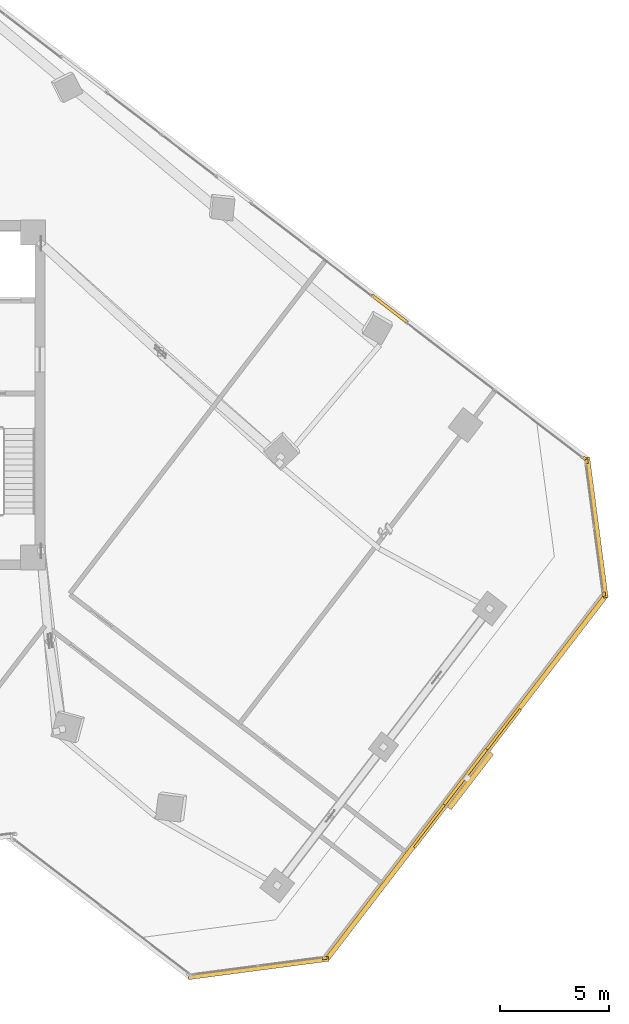
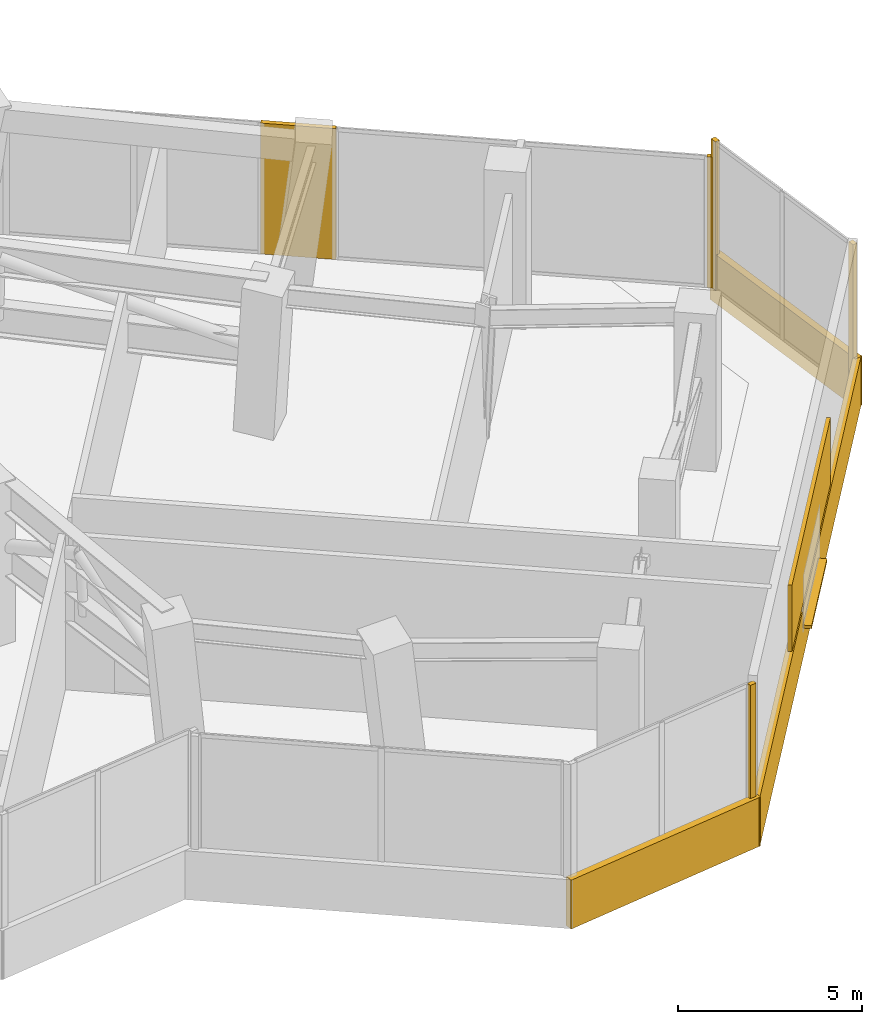
# One storey, part 21 of 22: 8 coverings, 2 shading devices.
"""IFC4 building model written with IfcOpenShell, lengths in metres."""

from ifc_helpers import new_model, si_unit, direction, frame, origin, origin_2d, place, context, subcontext, project, spatial, rectangle, extrude, source, transform, mapped, material, layer, layer_set, type_object, element, save


model = new_model("IFC4")

# Units and contexts
model_context = context("Model", 3, precision=1e-05, world=origin(), true_north=direction((0.0, 1.0)))
body_context = subcontext(model_context, "Body", "Model", "MODEL_VIEW")
ifc_project = project(units=[si_unit("LENGTHUNIT", "METRE"), si_unit("AREAUNIT", "SQUARE_METRE"), si_unit("VOLUMEUNIT", "CUBIC_METRE"), si_unit("PLANEANGLEUNIT", "RADIAN"), si_unit("MASSUNIT", "GRAM", prefix="KILO")], contexts=[model_context])

# Site, building, storey
site_placement = place(None, origin())
site = spatial("IfcSite", under=ifc_project, at=site_placement, CompositionType="ELEMENT")
building_placement = place(site_placement, origin())
building = spatial("IfcBuilding", under=site, at=building_placement, Name="Torre Montelarca", CompositionType="ELEMENT")
storey_placement = place(building_placement, frame((0.0, 0.0, 209.800048828125)))
storey = spatial("IfcBuildingStorey", under=building, at=storey_placement, Name="L47", CompositionType="ELEMENT", Elevation=209.800048828125)

# Coverings
ifc_material_1 = material(Name="Bush-hammered warm white precast concrete C45/55", Category="concrete")
ifc_layer_1 = layer(ifc_material_1, 0.139892578125, Name="Bush-hammered warm white precast concrete C45/55", Category="concrete")
ifc_layer_set_1 = layer_set([ifc_layer_1], Name="Bush-hammered warm white precast concrete C45/55")
covering_type = type_object("IfcCoveringType", Name="COV-TRAY-CLAD", PredefinedType="CLADDING", material=ifc_layer_set_1)
shared_shape_1 = source(origin(), body_context, "Body", "SweptSolid", [
    extrude(rectangle(XDim=6.48388671875, YDim=0.219970703125, at=origin_2d()), origin(), (0.0, 0.0, 1.0), 1.6201171875),
])
for number, where, z_axis, x_axis, name in (
    (1, (36.7978515625, 5.72998046875, -0.4501953125), (0.0, 0.0, 1.0), (0.991444405745, 0.130529653015, 0.0), "L47 Architectural White Spandrel Tray Band TRYBOT-05"),
    (2, (52.29541015625, 25.9267578125, -0.4501953125), (0.0, 0.0, 1.0), (-0.130531383411, 0.991444177927, 0.0), "L47 Architectural White Spandrel Tray Band TRYBOT-07"),
):
    element("IfcCovering", number, at=place(storey_placement, frame(where, z_axis=z_axis, x_axis=x_axis)), inside=storey, type_object=covering_type, Name=name, PredefinedType="CLADDING", context=body_context, shape_type="MappedRepresentation", body=[
        mapped(shared_shape_1, transform((0.0, 0.0, 0.0), scale=1.0)),
    ])
shared_shape_2 = source(origin(), body_context, "Body", "SweptSolid", [
    extrude(rectangle(XDim=21.1201171875, YDim=0.219970703125, at=origin_2d()), origin(), (0.0, 0.0, 1.0), 1.6201171875),
])
covering_1_placement = place(storey_placement, frame((46.32470703125, 14.464111328125, -0.4501953125), z_axis=(0.0, 0.0, 1.0), x_axis=(0.608762813671, 0.793352277801, 0.0)))
element("IfcCovering", 3, at=covering_1_placement, inside=storey, type_object=covering_type, Name="L47 Architectural White Spandrel Tray Band TRYBOT-06", PredefinedType="CLADDING", context=body_context, shape_type="MappedRepresentation", body=[
    mapped(shared_shape_2, transform((0.0, 0.0, 0.0), scale=1.0)),
])

# Shading device
ifc_material_2 = material(Name="Anodised champagne bronze aluminium AA 6063-T6", Category="aluminium")
ifc_layer_2 = layer(ifc_material_2, 0.070068359375, Name="Anodised champagne bronze aluminium AA 6063-T6", Category="aluminium")
ifc_layer_set_2 = layer_set([ifc_layer_2], Name="Anodised champagne bronze aluminium AA 6063-T6")
shading_device_type_1 = type_object("IfcShadingDeviceType", Name="SHD-SUNSHADE-1", PredefinedType="USERDEFINED", material=ifc_layer_set_2)
shared_shape_3 = source(origin(), body_context, "Body", "SweptSolid", [
    extrude(rectangle(XDim=3.199951171875, YDim=0.47998046875, at=origin_2d()), origin(), (0.0, 0.0, 1.0), 0.10009765625),
])
shading_device_1_placement = place(storey_placement, frame((46.412109375, 14.39697265625, 0.56982421875), z_axis=(0.0, 0.0, 1.0), x_axis=(0.608762813671, 0.793352277801, 0.0)))
element("IfcShadingDevice", 4, at=shading_device_1_placement, inside=storey, type_object=shading_device_type_1, Name="L47 Facade Solar Shading Device E6", ObjectType="SUNSHADE", PredefinedType="USERDEFINED", context=body_context, shape_type="MappedRepresentation", body=[
    mapped(shared_shape_3, transform((0.0, 0.0, 0.0), scale=1.0)),
])

# Coverings
shared_shape_4 = source(origin(), body_context, "Body", "SweptSolid", [
    extrude(rectangle(XDim=0.199951171875, YDim=0.139892578125, at=origin_2d()), origin(), (0.0, 0.0, 1.0), 4.919921875),
])
for number, where, z_axis, x_axis, name in (
    (5, (39.829833984375, 6.189697265625, 0.0), (0.0, 0.0, 1.0), (0.991444405745, 0.130529653015, 0.0), "L47 Architectural Column Pier Cladding E05-2"),
    (6, (52.635986328125, 22.87890625, 0.0), (0.0, 0.0, 1.0), (-0.130531383411, 0.991444177927, 0.0), "L47 Architectural Column Pier Cladding E07-1"),
    (7, (51.835693359375, 28.958740234375, 0.0), (0.0, 0.0, 1.0), (-0.130531383411, 0.991444177927, 0.0), "L47 Architectural Column Pier Cladding E07-2"),
):
    element("IfcCovering", number, at=place(storey_placement, frame(where, z_axis=z_axis, x_axis=x_axis)), inside=storey, type_object=covering_type, Name=name, PredefinedType="CLADDING", context=body_context, shape_type="MappedRepresentation", body=[
        mapped(shared_shape_4, transform((0.0, 0.0, 0.0), scale=1.0)),
    ])

# Shading device
ifc_material_3 = material(Name="Architectural perforated terracotta ceramic", Category="masonry")
ifc_layer_3 = layer(ifc_material_3, 0.080078125, Name="Architectural perforated terracotta ceramic", Category="masonry")
ifc_layer_set_3 = layer_set([ifc_layer_3], Name="Architectural perforated terracotta ceramic")
shading_device_type_2 = type_object("IfcShadingDeviceType", Name="SHD-JALOUSIE-1", PredefinedType="JALOUSIE", material=ifc_layer_set_3)
shared_shape_5 = source(origin(), body_context, "Body", "SweptSolid", [
    extrude(rectangle(XDim=8.0, YDim=0.1201171875, at=origin_2d()), origin(), (0.0, 0.0, 1.0), 2.199951171875),
])
shading_device_2_placement = place(storey_placement, frame((46.380126953125, 14.42138671875, 1.4599609375), z_axis=(0.0, 0.0, 1.0), x_axis=(0.608764198331, 0.793351215308, 0.0)))
element("IfcShadingDevice", 8, at=shading_device_2_placement, inside=storey, type_object=shading_device_type_2, Name="L47 Belt-Truss Mechanical Louvre Screen E06", PredefinedType="JALOUSIE", context=body_context, shape_type="MappedRepresentation", body=[
    mapped(shared_shape_5, transform((0.0, 0.0, 0.0), scale=1.0)),
])

# Coverings
shared_shape_6 = source(origin(), body_context, "Body", "SweptSolid", [
    extrude(rectangle(XDim=0.199951171875, YDim=0.139892578125, at=origin_2d()), origin(), (0.0, 0.0, 1.0), 4.3349609375),
])
covering_2_placement = place(storey_placement, frame((51.76318359375, 29.08447265625, 0.0), z_axis=(0.0, 0.0, 1.0), x_axis=(-0.793352277801, 0.608762813671, 0.0)))
element("IfcCovering", 9, at=covering_2_placement, inside=storey, type_object=covering_type, Name="L47 Architectural Column Pier Cladding E08-1", PredefinedType="CLADDING", context=body_context, shape_type="MappedRepresentation", body=[
    mapped(shared_shape_6, transform((0.0, 0.0, 0.0), scale=1.0)),
])
shared_shape_7 = source(origin(), body_context, "Body", "SweptSolid", [
    extrude(rectangle(XDim=2.06005859375, YDim=0.139892578125, at=origin_2d()), origin(), (0.0, 0.0, 1.0), 4.3349609375),
])
covering_3_placement = place(storey_placement, frame((42.810791015625, 35.953857421875, 0.0), z_axis=(0.0, 0.0, 1.0), x_axis=(-0.793352277801, 0.608762813671, 0.0)))
element("IfcCovering", 10, at=covering_3_placement, inside=storey, type_object=covering_type, Name="L47 Architectural Column Pier Cladding E08-2", PredefinedType="CLADDING", context=body_context, shape_type="MappedRepresentation", body=[
    mapped(shared_shape_7, transform((0.0, 0.0, 0.0), scale=1.0)),
])

save(model, "model.ifc")
